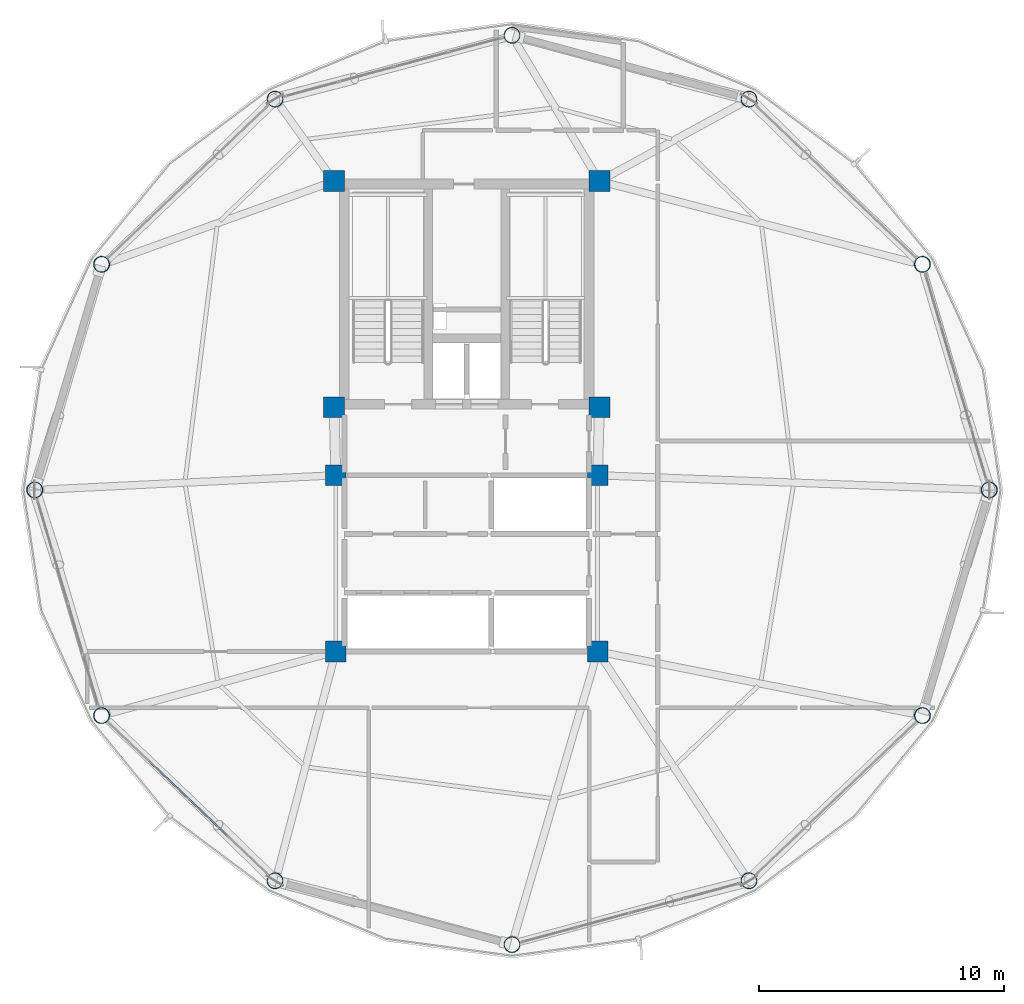
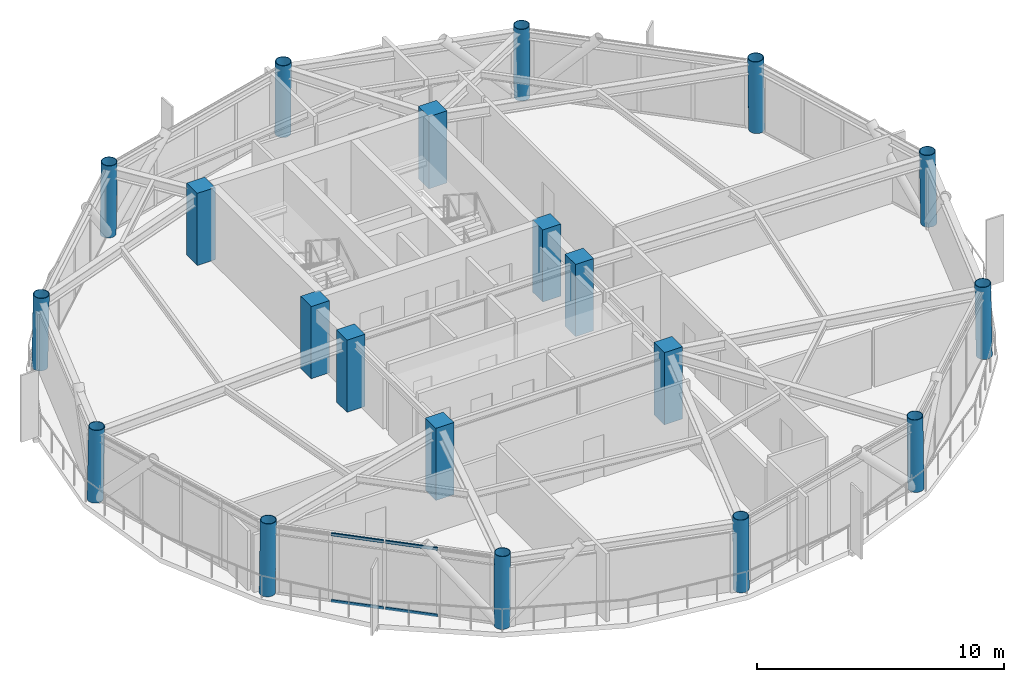
# One storey, part 1 of 28: 20 columns, 4 members, 1 element without a shape of its own.
"""IFC4 building model written with IfcOpenShell, lengths in metres."""

from ifc_helpers import new_model, si_unit, direction, frame, origin, origin_2d, place, context, subcontext, project, spatial, rectangle, hollow_rectangle, hollow_circle, extrude, material, layer, layer_set, material_profile, profile_set, type_object, element, aggregate, save


model = new_model("IFC4")

# Units and contexts
model_context = context("Model", 3, precision=1e-05, world=origin(), true_north=direction((0.0, 1.0)))
body_context = subcontext(model_context, "Body", "Model", "MODEL_VIEW")
ifc_project = project(units=[si_unit("LENGTHUNIT", "METRE"), si_unit("AREAUNIT", "SQUARE_METRE"), si_unit("VOLUMEUNIT", "CUBIC_METRE"), si_unit("PLANEANGLEUNIT", "RADIAN"), si_unit("MASSUNIT", "GRAM", prefix="KILO")], contexts=[model_context])

# Site, building, storey
site_placement = place(None, origin())
site = spatial("IfcSite", under=ifc_project, at=site_placement, CompositionType="ELEMENT")
building_placement = place(site_placement, origin())
building = spatial("IfcBuilding", under=site, at=building_placement, Name="Varnakorn Sky Granary", CompositionType="ELEMENT")
storey_placement = place(building_placement, frame((0.0, 0.0, 193.199951171875)))
storey = spatial("IfcBuildingStorey", under=building, at=storey_placement, Name="L48", CompositionType="ELEMENT", Elevation=193.199951171875)

# Columns
ifc_material_1 = material(Name="Steel S460M", Category="steel")
ifc_material_profile_1 = material_profile(ifc_material_1, hollow_circle(Radius=0.330078125, WallThickness=0.02490234375, at=origin_2d()), Name="CHS 660x25")
ifc_profile_set_1 = profile_set([ifc_material_profile_1], Name="Steel S460M")
column_type_1 = type_object("IfcColumnType", Name="COL-DC-Z4", PredefinedType="COLUMN", material=ifc_profile_set_1)
column_1_placement = place(storey_placement, frame((24.361083984375, 0.0, 0.0), z_axis=(-0.018776993553, 0.0, 0.999823696715), x_axis=(0.0, -1.0, 0.0)))
element("IfcColumn", 1, at=column_1_placement, inside=storey, type_object=column_type_1, Name="Drum Perimeter Column DC01 L48", PredefinedType="COLUMN", context=body_context, shape_type="SweptSolid", body=[
    extrude(hollow_circle(Radius=0.330078125, WallThickness=0.02490234375, at=origin_2d()), origin(), (0.0, 0.0, 1.0), 3.57568359375),
])
column_2_placement = place(storey_placement, frame((21.630126953125, 9.222900390625, 0.0), z_axis=(-0.016251173122, -0.004711474561, 0.999856840442), x_axis=(0.278450000424, -0.960450726099, 0.0)))
element("IfcColumn", 2, at=column_2_placement, inside=storey, type_object=column_type_1, Name="Drum Perimeter Column DC02 L48", PredefinedType="COLUMN", context=body_context, shape_type="SweptSolid", body=[
    extrude(hollow_circle(Radius=0.330078125, WallThickness=0.02490234375, at=origin_2d()), origin(), (0.0, 0.0, 1.0), 3.575439453125),
])
for number, where, z_axis, x_axis, name in (
    (3, (14.5380859375, 15.974609375, 0.0), (-0.009423563403, -0.008194402959, 0.999922021066), (0.656178714925, -0.754605522164, 0.0), "Drum Perimeter Column DC03 L48"),
    (4, (4.85009765625, 18.5810546875, 0.0), (0.0, -0.00949216266, 0.999954948409), (1.0, 0.0, 0.0), "Drum Perimeter Column DC04 L48"),
    (5, (-4.837890625, 15.974609375, 0.0), (0.00935528271, -0.008194408213, 0.999922662189), (0.658893247603, 0.75223645768, 0.0), "Drum Perimeter Column DC05 L48"),
):
    element("IfcColumn", number, at=place(storey_placement, frame(where, z_axis=z_axis, x_axis=x_axis)), inside=storey, type_object=column_type_1, Name=name, PredefinedType="COLUMN", context=body_context, shape_type="SweptSolid", body=[
        extrude(hollow_circle(Radius=0.330078125, WallThickness=0.02490234375, at=origin_2d()), origin(), (0.0, 0.0, 1.0), 3.5751953125),
    ])
column_3_placement = place(storey_placement, frame((-11.93017578125, 9.222900390625, 0.0), z_axis=(0.016251173122, -0.004711474561, 0.999856840442), x_axis=(0.278450000424, 0.960450726099, 0.0)))
element("IfcColumn", 6, at=column_3_placement, inside=storey, type_object=column_type_1, Name="Drum Perimeter Column DC06 L48", PredefinedType="COLUMN", context=body_context, shape_type="SweptSolid", body=[
    extrude(hollow_circle(Radius=0.330078125, WallThickness=0.02490234375, at=origin_2d()), origin(), (0.0, 0.0, 1.0), 3.575439453125),
])
column_4_placement = place(storey_placement, frame((-14.660888671875, 0.0, 0.0), z_axis=(0.018708737519, 0.0, 0.999824976254), x_axis=(0.0, 1.0, 0.0)))
element("IfcColumn", 7, at=column_4_placement, inside=storey, type_object=column_type_1, Name="Drum Perimeter Column DC07 L48", PredefinedType="COLUMN", context=body_context, shape_type="SweptSolid", body=[
    extrude(hollow_circle(Radius=0.330078125, WallThickness=0.02490234375, at=origin_2d()), origin(), (0.0, 0.0, 1.0), 3.57568359375),
])
column_5_placement = place(storey_placement, frame((-11.93017578125, -9.222900390625, 0.0), z_axis=(0.016251173122, 0.004711474561, 0.999856840442), x_axis=(-0.278450000424, 0.960450726099, 0.0)))
element("IfcColumn", 8, at=column_5_placement, inside=storey, type_object=column_type_1, Name="Drum Perimeter Column DC08 L48", PredefinedType="COLUMN", context=body_context, shape_type="SweptSolid", body=[
    extrude(hollow_circle(Radius=0.330078125, WallThickness=0.02490234375, at=origin_2d()), origin(), (0.0, 0.0, 1.0), 3.575439453125),
])
for number, where, z_axis, x_axis, name in (
    (9, (-4.837890625, -15.974609375, 0.0), (0.00935528271, 0.008194408213, 0.999922662189), (-0.658893247603, 0.75223645768, 0.0), "Drum Perimeter Column DC09 L48"),
    (10, (4.85009765625, -18.5810546875, 0.0), (0.0, 0.00949216266, 0.999954948409), (-1.0, 0.0, 0.0), "Drum Perimeter Column DC10 L48"),
    (11, (14.5380859375, -15.974609375, 0.0), (-0.009423563403, 0.008194402959, 0.999922021066), (-0.656178714925, -0.754605522164, 0.0), "Drum Perimeter Column DC11 L48"),
):
    element("IfcColumn", number, at=place(storey_placement, frame(where, z_axis=z_axis, x_axis=x_axis)), inside=storey, type_object=column_type_1, Name=name, PredefinedType="COLUMN", context=body_context, shape_type="SweptSolid", body=[
        extrude(hollow_circle(Radius=0.330078125, WallThickness=0.02490234375, at=origin_2d()), origin(), (0.0, 0.0, 1.0), 3.5751953125),
    ])
column_6_placement = place(storey_placement, frame((21.630126953125, -9.222900390625, 0.0), z_axis=(-0.016251173122, 0.004711474561, 0.999856840442), x_axis=(-0.278450000424, -0.960450726099, 0.0)))
element("IfcColumn", 12, at=column_6_placement, inside=storey, type_object=column_type_1, Name="Drum Perimeter Column DC12 L48", PredefinedType="COLUMN", context=body_context, shape_type="SweptSolid", body=[
    extrude(hollow_circle(Radius=0.330078125, WallThickness=0.02490234375, at=origin_2d()), origin(), (0.0, 0.0, 1.0), 3.575439453125),
])
ifc_material_2 = material(Name="Concrete C50/60", Category="concrete")
ifc_material_profile_2 = material_profile(ifc_material_2, rectangle(XDim=0.85009765625, YDim=0.85009765625, at=origin_2d()), Name="RC 850x850")
ifc_profile_set_2 = profile_set([ifc_material_profile_2], Name="Concrete C50/60")
column_type_2 = type_object("IfcColumnType", Name="COL-MC-Z4", PredefinedType="COLUMN", material=ifc_profile_set_2)
for number, where, z_axis, x_axis, name in (
    (13, (-2.419921875, 12.6201171875, 0.0), (0.0, 0.0, 1.0), (1.0, 0.0, 0.0), "Backbone Mega-Column MC1 L48"),
    (14, (8.419921875, 12.6201171875, 0.0), (0.0, 0.0, 1.0), (1.0, 0.0, 0.0), "Backbone Mega-Column MC2 L48"),
    (15, (-2.419921875, 3.3798828125, 0.0), (0.0, 0.0, 1.0), (1.0, 0.0, 0.0), "Backbone Mega-Column MC3 L48"),
    (16, (8.419921875, 3.3798828125, 0.0), (0.0, 0.0, 1.0), (1.0, 0.0, 0.0), "Backbone Mega-Column MC4 L48"),
    (17, (-2.35009765625, 0.60009765625, 0.0), (0.0, 0.0, 1.0), (1.0, 0.0, 0.0), "Backbone Mega-Column MC5 L48"),
    (18, (8.35009765625, 0.60009765625, 0.0), (0.0, 0.0, 1.0), (1.0, 0.0, 0.0), "Backbone Mega-Column MC6 L48"),
    (19, (-2.35009765625, -6.60009765625, 0.0), (0.0, 0.0, 1.0), (1.0, 0.0, 0.0), "Backbone Mega-Column MC7 L48"),
    (20, (8.35009765625, -6.60009765625, 0.0), (0.0, 0.0, 1.0), (1.0, 0.0, 0.0), "Backbone Mega-Column MC8 L48"),
):
    element("IfcColumn", number, at=place(storey_placement, frame(where, z_axis=z_axis, x_axis=x_axis)), inside=storey, type_object=column_type_2, Name=name, PredefinedType="COLUMN", context=body_context, shape_type="SweptSolid", body=[
        extrude(rectangle(XDim=0.85009765625, YDim=0.85009765625, at=origin_2d()), origin(), (0.0, 0.0, 1.0), 3.574951171875),
    ])

# Curtain wall, members
ifc_material_3 = material(Name="Anodised Bronze Aluminium Alloy 6063-T6", Category="aluminium")
ifc_layer = layer(ifc_material_3, 0.169921875, Name="Anodised Bronze Aluminium Alloy 6063-T6")
ifc_layer_set = layer_set([ifc_layer], Name="Anodised Bronze Aluminium Alloy 6063-T6")
curtain_wall_type = type_object("IfcCurtainWallType", Name="CW-LAB-1", PredefinedType="USERDEFINED", material=ifc_layer_set)
curtain_wall_placement = place(storey_placement, origin())
curtain_wall = element("IfcCurtainWall", 21, at=curtain_wall_placement, inside=storey, type_object=curtain_wall_type, Name="Unitised Curtain Wall CW5 CW-L48-B08", ObjectType="CURTAIN WALL", PredefinedType="USERDEFINED")
ifc_material_profile_3 = material_profile(ifc_material_3, hollow_rectangle(XDim=0.070068359375, YDim=0.139892578125, WallThickness=0.00341796875, at=origin_2d()), Name="ALU TRAN 70x140")
ifc_profile_set_3 = profile_set([ifc_material_profile_3], Name="Anodised Bronze Aluminium Alloy 6063-T6")
member_type = type_object("IfcMemberType", Name="CW-LAB-1-TRAN", PredefinedType="USERDEFINED", material=ifc_profile_set_3)
member_1_placement = place(storey_placement, frame((-6.77587890625, -14.1298828125, 0.03515625), z_axis=(-0.724299782659, 0.689485188268, 0.0), x_axis=(-0.689485188268, -0.724299782659, 0.0)))
member_1 = element("IfcMember", 22, at=member_1_placement, type_object=member_type, Name="CW5 transom 2.1", ObjectType="TRANSOM", PredefinedType="USERDEFINED", context=body_context, shape_type="SweptSolid", body=[
    extrude(hollow_rectangle(XDim=0.070068359375, YDim=0.139892578125, WallThickness=0.00341796875, at=origin_2d()), origin(), (0.0, 0.0, 1.0), 2.18798828125),
])
member_2_placement = place(storey_placement, frame((-6.77587890625, -14.1298828125, 3.324951171875), z_axis=(-0.724299782659, 0.689485188268, 0.0), x_axis=(-0.689485188268, -0.724299782659, 0.0)))
member_2 = element("IfcMember", 23, at=member_2_placement, type_object=member_type, Name="CW5 transom 2.2", ObjectType="TRANSOM", PredefinedType="USERDEFINED", context=body_context, shape_type="SweptSolid", body=[
    extrude(hollow_rectangle(XDim=0.070068359375, YDim=0.139892578125, WallThickness=0.00341796875, at=origin_2d()), origin(), (0.0, 0.0, 1.0), 2.18798828125),
])
member_3_placement = place(storey_placement, frame((-8.407470703125, -12.576416015625, 0.03515625), z_axis=(-0.724299782659, 0.689485188268, 0.0), x_axis=(-0.689485188268, -0.724299782659, 0.0)))
member_3 = element("IfcMember", 24, at=member_3_placement, type_object=member_type, Name="CW5 transom 3.1", ObjectType="TRANSOM", PredefinedType="USERDEFINED", context=body_context, shape_type="SweptSolid", body=[
    extrude(hollow_rectangle(XDim=0.070068359375, YDim=0.139892578125, WallThickness=0.00341796875, at=origin_2d()), origin(), (0.0, 0.0, 1.0), 2.18798828125),
])
member_4_placement = place(storey_placement, frame((-8.407470703125, -12.576416015625, 3.324951171875), z_axis=(-0.724299782659, 0.689485188268, 0.0), x_axis=(-0.689485188268, -0.724299782659, 0.0)))
member_4 = element("IfcMember", 25, at=member_4_placement, type_object=member_type, Name="CW5 transom 3.2", ObjectType="TRANSOM", PredefinedType="USERDEFINED", context=body_context, shape_type="SweptSolid", body=[
    extrude(hollow_rectangle(XDim=0.070068359375, YDim=0.139892578125, WallThickness=0.00341796875, at=origin_2d()), origin(), (0.0, 0.0, 1.0), 2.18798828125),
])
aggregate(curtain_wall, [member_1, member_2, member_3, member_4])

save(model, "model.ifc")
